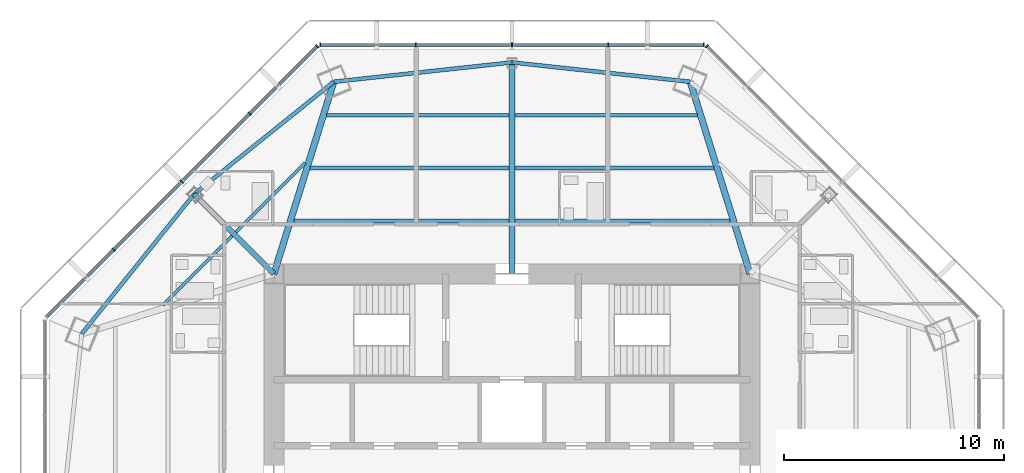
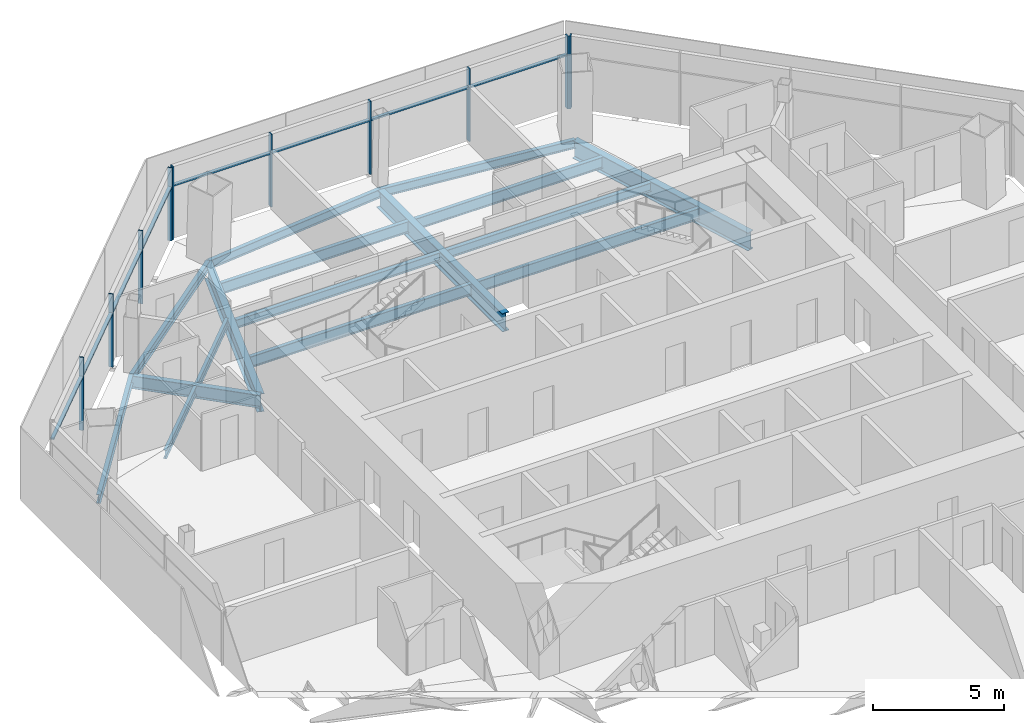
# One storey, part 5 of 14: 18 members, 16 beams, 3 elements without a shape of their own.
"""IFC4 building model written with IfcOpenShell, lengths in metres."""

from ifc_helpers import new_model, si_unit, direction, frame, origin, origin_2d, place, context, subcontext, project, spatial, rectangle, i_section, extrude, source, transform, mapped, material, material_profile, profile_set, type_object, type_shapes, element, aggregate, save


model = new_model("IFC4")

# Units and contexts
model_context = context("Model", 3, precision=1e-05, world=origin(), true_north=direction((0.0, 1.0)))
body_context = subcontext(model_context, "Body", "Model", "MODEL_VIEW")
ifc_project = project(units=[si_unit("LENGTHUNIT", "METRE"), si_unit("AREAUNIT", "SQUARE_METRE"), si_unit("VOLUMEUNIT", "CUBIC_METRE"), si_unit("PLANEANGLEUNIT", "RADIAN"), si_unit("MASSUNIT", "GRAM", prefix="KILO")], contexts=[model_context])

# Site, building, storey
site_placement = place(None, origin())
site = spatial("IfcSite", under=ifc_project, at=site_placement, CompositionType="ELEMENT")
building_placement = place(site_placement, origin())
building = spatial("IfcBuilding", under=site, at=building_placement, Name="Mashrafa Tower", CompositionType="ELEMENT")
storey_placement = place(building_placement, frame((0.0, 0.0, 241.39990234375)))
storey = spatial("IfcBuildingStorey", under=building, at=storey_placement, Name="L57", CompositionType="ELEMENT", Elevation=241.39990234375)

# Beams
ifc_material_1 = material(Name="Steel ASTM A992", Category="steel")
ifc_material_profile_1 = material_profile(ifc_material_1, i_section(OverallWidth=0.140380859375, OverallDepth=0.40380859375, WebThickness=0.007080078125, FlangeThickness=0.01123046875, FilletRadius=0.01025390625, at=origin_2d()), Name="W16X31")
ifc_profile_set_1 = profile_set([ifc_material_profile_1], Name="Steel ASTM A992")
beam_type_1 = type_object("IfcBeamType", Name="Beam W16X31", PredefinedType="BEAM", material=ifc_profile_set_1)
for number, where, z_axis, x_axis, name in (
    (1, (-15.8369140625, 9.382080078125, -0.40185546875), (0.707106781187, 0.707106781187, 0.0), (-0.707106781187, 0.707106781187, 0.0), "Floor beam L57 003"),
    (2, (-12.52880859375, 12.690185546875, -0.40185546875), (0.707106781187, 0.707106781187, 0.0), (-0.707106781187, 0.707106781187, 0.0), "Floor beam L57 009"),
):
    element("IfcBeam", number, at=place(storey_placement, frame(where, z_axis=z_axis, x_axis=x_axis)), inside=storey, type_object=beam_type_1, Name=name, PredefinedType="BEAM", context=body_context, shape_type="SweptSolid", body=[
        extrude(i_section(OverallWidth=0.140380859375, OverallDepth=0.40380859375, WebThickness=0.007080078125, FlangeThickness=0.01123046875, FilletRadius=0.01025390625, at=origin_2d()), origin(), (0.0, 0.0, 1.0), 4.4501953125),
    ])
ifc_material_2 = material(Name="Steel ASTM A992", Category="steel")
ifc_material_profile_2 = material_profile(ifc_material_2, i_section(OverallWidth=0.177734375, OverallDepth=0.406494140625, WebThickness=0.0078125, FlangeThickness=0.012939453125, FilletRadius=0.01025390625, at=origin_2d()), Name="W16X40")
ifc_profile_set_2 = profile_set([ifc_material_profile_2], Name="Steel ASTM A992")
beam_type_2 = type_object("IfcBeamType", Name="Beam W16X40", PredefinedType="BEAM", material=ifc_profile_set_2)
for number, where, z_axis, x_axis, name in (
    (3, (-9.1513671875, 15.595703125, -0.403076171875), (1.0, 0.0, 0.0), (0.0, 1.0, 0.0), "Floor beam L57 011"),
    (4, (0.14599609375, 15.595703125, -0.403076171875), (1.0, 0.0, 0.0), (0.0, 1.0, 0.0), "Floor beam L57 018"),
):
    element("IfcBeam", number, at=place(storey_placement, frame(where, z_axis=z_axis, x_axis=x_axis)), inside=storey, type_object=beam_type_2, Name=name, PredefinedType="BEAM", context=body_context, shape_type="SweptSolid", body=[
        extrude(i_section(OverallWidth=0.177734375, OverallDepth=0.406494140625, WebThickness=0.0078125, FlangeThickness=0.012939453125, FilletRadius=0.01025390625, at=origin_2d()), origin(), (0.0, 0.0, 1.0), 9.00537109375),
    ])
for number, where, z_axis, x_axis, name in (
    (5, (-14.4189453125, 14.4189453125, -0.403076171875), (-0.626590173444, -0.779348929905, 0.0), (0.779348929905, -0.626590173444, 0.0), "Spandrel beam L57 053"),
    (6, (-8.082763671875, 19.51318359375, -0.403076171875), (-0.779348929905, -0.626590173444, 0.0), (0.626590173444, -0.779348929905, 0.0), "Spandrel beam L57 055"),
):
    element("IfcBeam", number, at=place(storey_placement, frame(where, z_axis=z_axis, x_axis=x_axis)), inside=storey, type_object=beam_type_2, Name=name, PredefinedType="BEAM", context=body_context, shape_type="SweptSolid", body=[
        extrude(i_section(OverallWidth=0.177734375, OverallDepth=0.406494140625, WebThickness=0.0078125, FlangeThickness=0.012939453125, FilletRadius=0.01025390625, at=origin_2d()), origin(), (0.0, 0.0, 1.0), 8.130126953125),
    ])
for number, where, z_axis, x_axis, name in (
    (7, (0.0, 20.3916015625, -0.403076171875), (-0.99414635634, -0.108041761262, 0.0), (0.108041761262, -0.99414635634, 0.0), "Spandrel beam L57 057"),
    (8, (8.082763671875, 19.51318359375, -0.403076171875), (-0.99414635634, 0.108041761262, 0.0), (-0.108041761262, -0.99414635634, 0.0), "Spandrel beam L57 059"),
):
    element("IfcBeam", number, at=place(storey_placement, frame(where, z_axis=z_axis, x_axis=x_axis)), inside=storey, type_object=beam_type_2, Name=name, PredefinedType="BEAM", context=body_context, shape_type="SweptSolid", body=[
        extrude(i_section(OverallWidth=0.177734375, OverallDepth=0.406494140625, WebThickness=0.0078125, FlangeThickness=0.012939453125, FilletRadius=0.01025390625, at=origin_2d()), origin(), (0.0, 0.0, 1.0), 8.13037109375),
    ])
ifc_material_3 = material(Name="Steel ASTM A992", Category="steel")
ifc_material_profile_3 = material_profile(ifc_material_3, i_section(OverallWidth=0.165771484375, OverallDepth=0.5283203125, WebThickness=0.009765625, FlangeThickness=0.013671875, FilletRadius=0.012939453125, at=origin_2d()), Name="W21X50")
ifc_profile_set_3 = profile_set([ifc_material_profile_3], Name="Steel ASTM A992")
beam_type_3 = type_object("IfcBeamType", Name="Beam W21X50", PredefinedType="BEAM", material=ifc_profile_set_3)
beam_1_placement = place(storey_placement, frame((-9.899169921875, 13.197998046875, -0.464111328125), z_axis=(1.0, 0.0, 0.0), x_axis=(0.0, 1.0, 0.0)))
element("IfcBeam", 9, at=beam_1_placement, inside=storey, type_object=beam_type_3, Name="Floor beam L57 010", PredefinedType="BEAM", context=body_context, shape_type="SweptSolid", body=[
    extrude(i_section(OverallWidth=0.165771484375, OverallDepth=0.5283203125, WebThickness=0.009765625, FlangeThickness=0.013671875, FilletRadius=0.012939453125, at=origin_2d()), origin(), (0.0, 0.0, 1.0), 9.753173828125),
])
beam_2_placement = place(storey_placement, frame((-8.403564453125, 17.99365234375, -0.464111328125), z_axis=(1.0, 0.0, 0.0), x_axis=(0.0, 1.0, 0.0)))
element("IfcBeam", 10, at=beam_2_placement, inside=storey, type_object=beam_type_3, Name="Floor beam L57 013", PredefinedType="BEAM", context=body_context, shape_type="SweptSolid", body=[
    extrude(i_section(OverallWidth=0.165771484375, OverallDepth=0.5283203125, WebThickness=0.009765625, FlangeThickness=0.013671875, FilletRadius=0.012939453125, at=origin_2d()), origin(), (0.0, 0.0, 1.0), 8.257568359375),
])
beam_3_placement = place(storey_placement, frame((0.14599609375, 13.197998046875, -0.464111328125), z_axis=(1.0, 0.0, 0.0), x_axis=(0.0, 1.0, 0.0)))
element("IfcBeam", 11, at=beam_3_placement, inside=storey, type_object=beam_type_3, Name="Floor beam L57 017", PredefinedType="BEAM", context=body_context, shape_type="SweptSolid", body=[
    extrude(i_section(OverallWidth=0.165771484375, OverallDepth=0.5283203125, WebThickness=0.009765625, FlangeThickness=0.013671875, FilletRadius=0.012939453125, at=origin_2d()), origin(), (0.0, 0.0, 1.0), 9.753173828125),
])
beam_4_placement = place(storey_placement, frame((0.14599609375, 17.99365234375, -0.464111328125), z_axis=(1.0, 0.0, 0.0), x_axis=(0.0, 1.0, 0.0)))
element("IfcBeam", 12, at=beam_4_placement, inside=storey, type_object=beam_type_3, Name="Floor beam L57 019", PredefinedType="BEAM", context=body_context, shape_type="SweptSolid", body=[
    extrude(i_section(OverallWidth=0.165771484375, OverallDepth=0.5283203125, WebThickness=0.009765625, FlangeThickness=0.013671875, FilletRadius=0.012939453125, at=origin_2d()), origin(), (0.0, 0.0, 1.0), 8.257568359375),
])
ifc_material_4 = material(Name="Steel ASTM A992", Category="steel")
ifc_material_profile_4 = material_profile(ifc_material_4, i_section(OverallWidth=0.227783203125, OverallDepth=0.60205078125, WebThickness=0.010498046875, FlangeThickness=0.014892578125, FilletRadius=0.012939453125, at=origin_2d()), Name="W24X68")
ifc_profile_set_4 = profile_set([ifc_material_profile_4], Name="Steel ASTM A992")
beam_type_4 = type_object("IfcBeamType", Name="Beam W24X68", PredefinedType="BEAM", material=ifc_profile_set_4)
beam_5_placement = place(storey_placement, frame((-10.800048828125, 10.800048828125, -0.5009765625), z_axis=(-0.707106781187, 0.707106781187, 0.0), x_axis=(-0.707106781187, -0.707106781187, 0.0)))
element("IfcBeam", 13, at=beam_5_placement, inside=storey, type_object=beam_type_4, Name="Radial girder L57 038", PredefinedType="BEAM", context=body_context, shape_type="SweptSolid", body=[
    extrude(i_section(OverallWidth=0.227783203125, OverallDepth=0.60205078125, WebThickness=0.010498046875, FlangeThickness=0.014892578125, FilletRadius=0.012939453125, at=origin_2d()), origin(), (0.0, 0.0, 1.0), 5.117919921875),
])
ifc_material_5 = material(Name="Steel ASTM A992", Category="steel")
ifc_material_profile_5 = material_profile(ifc_material_5, i_section(OverallWidth=0.2919921875, OverallDepth=0.8408203125, WebThickness=0.0146484375, FlangeThickness=0.021728515625, FilletRadius=0.017333984375, at=origin_2d()), Name="W33X130")
ifc_profile_set_5 = profile_set([ifc_material_profile_5], Name="Steel ASTM A992")
beam_type_5 = type_object("IfcBeamType", Name="Beam W33X130", PredefinedType="BEAM", material=ifc_profile_set_5)
for number, where, z_axis, x_axis, name in (
    (14, (-10.800048828125, 10.800048828125, -0.620361328125), (0.297719015326, 0.954653543393, 0.0), (-0.954653543393, 0.297719015326, 0.0), "Radial girder L57 039"),
    (15, (10.800048828125, 10.800048828125, -0.620361328125), (-0.297719015326, 0.954653543393, 0.0), (-0.954653543393, -0.297719015326, 0.0), "Radial girder L57 046"),
):
    element("IfcBeam", number, at=place(storey_placement, frame(where, z_axis=z_axis, x_axis=x_axis)), inside=storey, type_object=beam_type_5, Name=name, PredefinedType="BEAM", context=body_context, shape_type="SweptSolid", body=[
        extrude(i_section(OverallWidth=0.2919921875, OverallDepth=0.8408203125, WebThickness=0.0146484375, FlangeThickness=0.021728515625, FilletRadius=0.017333984375, at=origin_2d()), origin(), (0.0, 0.0, 1.0), 9.126953125),
    ])
ifc_material_6 = material(Name="Steel ASTM A992", Category="steel")
ifc_material_profile_6 = material_profile(ifc_material_6, i_section(OverallWidth=0.2919921875, OverallDepth=0.8583984375, WebThickness=0.01708984375, FlangeThickness=0.031005859375, FilletRadius=0.017822265625, at=origin_2d()), Name="W33X169")
ifc_profile_set_6 = profile_set([ifc_material_profile_6], Name="Steel ASTM A992")
beam_type_6 = type_object("IfcBeamType", Name="Beam W33X169", PredefinedType="BEAM", material=ifc_profile_set_6)
beam_6_placement = place(storey_placement, frame((0.0, 10.800048828125, -0.629150390625), z_axis=(0.0, 1.0, 0.0), x_axis=(-1.0, 0.0, 0.0)))
element("IfcBeam", 16, at=beam_6_placement, inside=storey, type_object=beam_type_6, Name="Radial girder L57 041", PredefinedType="BEAM", context=body_context, shape_type="SweptSolid", body=[
    extrude(i_section(OverallWidth=0.2919921875, OverallDepth=0.8583984375, WebThickness=0.01708984375, FlangeThickness=0.031005859375, FilletRadius=0.017822265625, at=origin_2d()), origin(), (0.0, 0.0, 1.0), 9.591552734375),
])

# Curtain wall, member
ifc_material_7 = material(Name="Unitised aluminium curtain wall", Category="aluminium")
curtain_wall_type = type_object("IfcCurtainWallType", Name="Apartment curtain wall, zone 3 CW-C 180 deep", PredefinedType="NOTDEFINED", material=ifc_material_7)
curtain_wall_1_placement = place(storey_placement, origin())
curtain_wall_1 = element("IfcCurtainWall", 17, at=curtain_wall_1_placement, inside=storey, type_object=curtain_wall_type, Name="Apartment curtain wall, zone 3 L57 north-east", PredefinedType="NOTDEFINED")
ifc_material_8 = material(Name="Extruded aluminium mullion", Category="aluminium")
ifc_material_profile_7 = material_profile(ifc_material_8, rectangle(XDim=0.179931640625, YDim=0.06005859375, at=origin_2d()), Name="Mullion 60x180")
ifc_profile_set_7 = profile_set([ifc_material_profile_7], Name="Extruded aluminium mullion")
member_type_1 = type_object("IfcMemberType", Name="Mullion CW-C 60 x 180", PredefinedType="MULLION", material=ifc_profile_set_7)
shared_shape_1 = source(origin(), body_context, "Body", "SweptSolid", [
    extrude(rectangle(XDim=0.179931640625, YDim=0.06005859375, at=origin_2d()), origin(), (0.0, 0.0, 1.0), 3.400146484375),
])
type_shapes(member_type_1, [shared_shape_1])
member_1_placement = place(storey_placement, frame((8.830078125, 21.131103515625, 0.0), z_axis=(0.0, 0.0, 1.0), x_axis=(-0.707106781187, -0.707106781187, 0.0)))
member_1 = element("IfcMember", 18, at=member_1_placement, type_object=member_type_1, Name="CW-C mullion 5", PredefinedType="MULLION", context=body_context, shape_type="MappedRepresentation", body=[
    mapped(shared_shape_1, transform((0.0, 0.0, 0.0))),
])
aggregate(curtain_wall_1, [member_1])

# Curtain wall, members
curtain_wall_2_placement = place(storey_placement, origin())
curtain_wall_2 = element("IfcCurtainWall", 19, at=curtain_wall_2_placement, inside=storey, type_object=curtain_wall_type, Name="Apartment curtain wall, zone 3 L57 north", PredefinedType="NOTDEFINED")
member_2_placement = place(storey_placement, frame((8.6982421875, 21.185791015625, 0.0), z_axis=(0.0, 0.0, 1.0), x_axis=(0.0, -1.0, 0.0)))
member_2 = element("IfcMember", 20, at=member_2_placement, type_object=member_type_1, Name="CW-C mullion 1", PredefinedType="MULLION", context=body_context, shape_type="MappedRepresentation", body=[
    mapped(shared_shape_1, transform((0.0, 0.0, 0.0))),
])
member_3_placement = place(storey_placement, frame((4.364013671875, 21.185791015625, 0.0), z_axis=(0.0, 0.0, 1.0), x_axis=(0.0, -1.0, 0.0)))
member_3 = element("IfcMember", 21, at=member_3_placement, type_object=member_type_1, Name="CW-C mullion 2", PredefinedType="MULLION", context=body_context, shape_type="MappedRepresentation", body=[
    mapped(shared_shape_1, transform((0.0, 0.0, 0.0))),
])
member_4_placement = place(storey_placement, frame((0.0, 21.185791015625, 0.0), z_axis=(0.0, 0.0, 1.0), x_axis=(0.0, -1.0, 0.0)))
member_4 = element("IfcMember", 22, at=member_4_placement, type_object=member_type_1, Name="CW-C mullion 3", PredefinedType="MULLION", context=body_context, shape_type="MappedRepresentation", body=[
    mapped(shared_shape_1, transform((0.0, 0.0, 0.0))),
])
member_5_placement = place(storey_placement, frame((-4.364013671875, 21.185791015625, 0.0), z_axis=(0.0, 0.0, 1.0), x_axis=(0.0, -1.0, 0.0)))
member_5 = element("IfcMember", 23, at=member_5_placement, type_object=member_type_1, Name="CW-C mullion 4", PredefinedType="MULLION", context=body_context, shape_type="MappedRepresentation", body=[
    mapped(shared_shape_1, transform((0.0, 0.0, 0.0))),
])
member_6_placement = place(storey_placement, frame((-8.6982421875, 21.185791015625, 0.0), z_axis=(0.0, 0.0, 1.0), x_axis=(0.0, -1.0, 0.0)))
member_6 = element("IfcMember", 24, at=member_6_placement, type_object=member_type_1, Name="CW-C mullion 5", PredefinedType="MULLION", context=body_context, shape_type="MappedRepresentation", body=[
    mapped(shared_shape_1, transform((0.0, 0.0, 0.0))),
])

curtain_wall_3_placement = place(storey_placement, origin())
curtain_wall_3 = element("IfcCurtainWall", 25, at=curtain_wall_3_placement, inside=storey, type_object=curtain_wall_type, Name="Apartment curtain wall, zone 3 L57 north-west", PredefinedType="NOTDEFINED")
member_7_placement = place(storey_placement, frame((-8.830078125, 21.131103515625, 0.0), z_axis=(0.0, 0.0, 1.0), x_axis=(0.707106781187, -0.707106781187, 0.0)))
member_7 = element("IfcMember", 26, at=member_7_placement, type_object=member_type_1, Name="CW-C mullion 1", PredefinedType="MULLION", context=body_context, shape_type="MappedRepresentation", body=[
    mapped(shared_shape_1, transform((0.0, 0.0, 0.0))),
])
member_8_placement = place(storey_placement, frame((-11.894775390625, 18.066650390625, 0.0), z_axis=(0.0, 0.0, 1.0), x_axis=(0.707106781187, -0.707106781187, 0.0)))
member_8 = element("IfcMember", 27, at=member_8_placement, type_object=member_type_1, Name="CW-C mullion 2", PredefinedType="MULLION", context=body_context, shape_type="MappedRepresentation", body=[
    mapped(shared_shape_1, transform((0.0, 0.0, 0.0))),
])
member_9_placement = place(storey_placement, frame((-14.980712890625, 14.980712890625, 0.0), z_axis=(0.0, 0.0, 1.0), x_axis=(0.707106781187, -0.707106781187, 0.0)))
member_9 = element("IfcMember", 28, at=member_9_placement, type_object=member_type_1, Name="CW-C mullion 3", PredefinedType="MULLION", context=body_context, shape_type="MappedRepresentation", body=[
    mapped(shared_shape_1, transform((0.0, 0.0, 0.0))),
])
member_10_placement = place(storey_placement, frame((-18.066650390625, 11.894775390625, 0.0), z_axis=(0.0, 0.0, 1.0), x_axis=(0.707106781187, -0.707106781187, 0.0)))
member_10 = element("IfcMember", 29, at=member_10_placement, type_object=member_type_1, Name="CW-C mullion 4", PredefinedType="MULLION", context=body_context, shape_type="MappedRepresentation", body=[
    mapped(shared_shape_1, transform((0.0, 0.0, 0.0))),
])

# Member
ifc_material_9 = material(Name="Extruded aluminium transom", Category="aluminium")
ifc_material_profile_8 = material_profile(ifc_material_9, rectangle(XDim=0.14404296875, YDim=0.074951171875, at=origin_2d()), Name="Transom 75x144")
ifc_profile_set_8 = profile_set([ifc_material_profile_8], Name="Extruded aluminium transom")
member_type_2 = type_object("IfcMemberType", Name="Transom CW-C 75 x 144", PredefinedType="MULLION", material=ifc_profile_set_8)
shared_shape_2 = source(origin(), body_context, "Body", "SweptSolid", [
    extrude(rectangle(XDim=0.14404296875, YDim=0.074951171875, at=origin_2d()), origin(), (0.0, 0.0, 1.0), 4.274169921875),
])
member_11_placement = place(storey_placement, frame((8.668212890625, 21.185791015625, 2.5), z_axis=(-1.0, 0.0, 0.0), x_axis=(0.0, -1.0, 0.0)))
member_11 = element("IfcMember", 30, at=member_11_placement, type_object=member_type_2, Name="CW-C transom 1", PredefinedType="MULLION", context=body_context, shape_type="MappedRepresentation", body=[
    mapped(shared_shape_2, transform((0.0, 0.0, 0.0))),
])

member_12_placement = place(storey_placement, frame((-4.39404296875, 21.185791015625, 2.5), z_axis=(-1.0, 0.0, 0.0), x_axis=(0.0, -1.0, 0.0)))
member_12 = element("IfcMember", 31, at=member_12_placement, type_object=member_type_2, Name="CW-C transom 4", PredefinedType="MULLION", context=body_context, shape_type="MappedRepresentation", body=[
    mapped(shared_shape_2, transform((0.0, 0.0, 0.0))),
])

member_13_placement = place(storey_placement, frame((-8.851318359375, 21.110107421875, 2.5), z_axis=(-0.707078221024, -0.707135340195, 0.0), x_axis=(0.707135340195, -0.707078221024, 0.0)))
member_13 = element("IfcMember", 32, at=member_13_placement, type_object=member_type_2, Name="CW-C transom 1", PredefinedType="MULLION", context=body_context, shape_type="MappedRepresentation", body=[
    mapped(shared_shape_2, transform((0.0, 0.0, 0.0))),
])

member_14_placement = place(storey_placement, frame((-18.087646484375, 11.87353515625, 2.5), z_axis=(-0.707135340195, -0.707078221024, 0.0), x_axis=(0.707078221024, -0.707135340195, 0.0)))
member_14 = element("IfcMember", 33, at=member_14_placement, type_object=member_type_2, Name="CW-C transom 4", PredefinedType="MULLION", context=body_context, shape_type="MappedRepresentation", body=[
    mapped(shared_shape_2, transform((0.0, 0.0, 0.0))),
])

shared_shape_3 = source(origin(), body_context, "Body", "SweptSolid", [
    extrude(rectangle(XDim=0.14404296875, YDim=0.074951171875, at=origin_2d()), origin(), (0.0, 0.0, 1.0), 4.303955078125),
])
member_15_placement = place(storey_placement, frame((4.333984375, 21.185791015625, 2.5), z_axis=(-1.0, 0.0, 0.0), x_axis=(0.0, -1.0, 0.0)))
member_15 = element("IfcMember", 34, at=member_15_placement, type_object=member_type_2, Name="CW-C transom 2", PredefinedType="MULLION", context=body_context, shape_type="MappedRepresentation", body=[
    mapped(shared_shape_3, transform((0.0, 0.0, 0.0))),
])

member_16_placement = place(storey_placement, frame((-0.030029296875, 21.185791015625, 2.5), z_axis=(-1.0, 0.0, 0.0), x_axis=(0.0, -1.0, 0.0)))
member_16 = element("IfcMember", 35, at=member_16_placement, type_object=member_type_2, Name="CW-C transom 3", PredefinedType="MULLION", context=body_context, shape_type="MappedRepresentation", body=[
    mapped(shared_shape_3, transform((0.0, 0.0, 0.0))),
])

aggregate(curtain_wall_2, [member_2, member_3, member_4, member_5, member_6, member_11, member_15, member_16, member_12])

shared_shape_4 = source(origin(), body_context, "Body", "SweptSolid", [
    extrude(rectangle(XDim=0.14404296875, YDim=0.074951171875, at=origin_2d()), origin(), (0.0, 0.0, 1.0), 4.30419921875),
])
type_shapes(member_type_2, [shared_shape_2, shared_shape_3, shared_shape_4])
member_17_placement = place(storey_placement, frame((-11.916015625, 18.04541015625, 2.5), z_axis=(-0.707106781187, -0.707106781187, 0.0), x_axis=(0.707106781187, -0.707106781187, 0.0)))
member_17 = element("IfcMember", 36, at=member_17_placement, type_object=member_type_2, Name="CW-C transom 2", PredefinedType="MULLION", context=body_context, shape_type="MappedRepresentation", body=[
    mapped(shared_shape_4, transform((0.0, 0.0, 0.0))),
])

member_18_placement = place(storey_placement, frame((-15.001953125, 14.95947265625, 2.5), z_axis=(-0.707106781187, -0.707106781187, 0.0), x_axis=(0.707106781187, -0.707106781187, 0.0)))
member_18 = element("IfcMember", 37, at=member_18_placement, type_object=member_type_2, Name="CW-C transom 3", PredefinedType="MULLION", context=body_context, shape_type="MappedRepresentation", body=[
    mapped(shared_shape_4, transform((0.0, 0.0, 0.0))),
])

aggregate(curtain_wall_3, [member_7, member_8, member_9, member_10, member_13, member_17, member_18, member_14])

save(model, "model.ifc")
